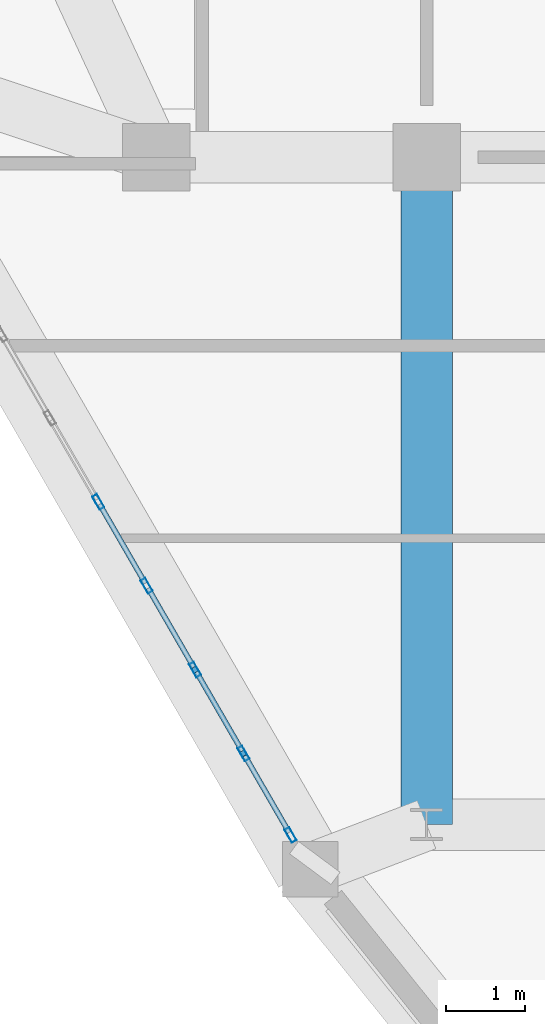
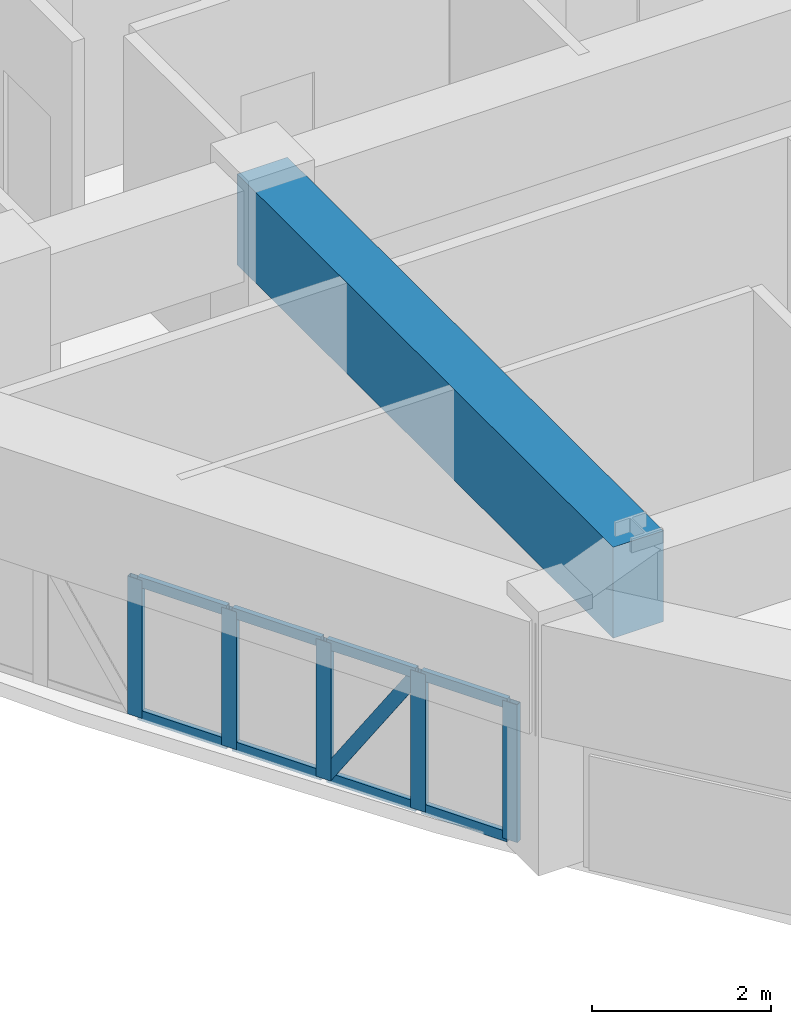
# One storey, part 2 of 16: 14 members, 1 beam, 1 element without a shape of its own.
"""IFC4 building model written with IfcOpenShell, lengths in metres."""

from ifc_helpers import new_model, si_unit, derived_unit, direction, frame, origin, origin_2d, place, context, subcontext, project, spatial, rectangle, hollow_rectangle, extrude, source, transform, mapped, material, layer, layer_set, material_profile, profile_set, type_object, element, aggregate, save


model = new_model("IFC4")

# Units and contexts
model_context = context("Model", 3, precision=1e-05, world=origin(), true_north=direction((0.0, 1.0)))
body_context = subcontext(model_context, "Body", "Model", "MODEL_VIEW")
ifc_project = project(units=[si_unit("LENGTHUNIT", "METRE"), si_unit("AREAUNIT", "SQUARE_METRE"), si_unit("VOLUMEUNIT", "CUBIC_METRE"), si_unit("PLANEANGLEUNIT", "RADIAN"), si_unit("MASSUNIT", "GRAM", prefix="KILO"), derived_unit("THERMALTRANSMITTANCEUNIT", [(si_unit("POWERUNIT", "WATT"), 1), (si_unit("LENGTHUNIT", "METRE"), -2), (si_unit("THERMODYNAMICTEMPERATUREUNIT", "KELVIN"), -1)])], contexts=[model_context])

# Site, building, storey
site_placement = place(None, origin())
site = spatial("IfcSite", under=ifc_project, at=site_placement, CompositionType="ELEMENT")
building_placement = place(site_placement, origin())
building = spatial("IfcBuilding", under=site, at=building_placement, Name="Korsvarv Bourse and Concert Hall", CompositionType="ELEMENT")
storey_placement = place(building_placement, frame((0.0, 0.0, 261.0)))
storey = spatial("IfcBuildingStorey", under=building, at=storey_placement, Name="L68", CompositionType="ELEMENT", Elevation=261.0)

# Beam
ifc_material_1 = material(Name="Concrete C50/60", Category="concrete")
ifc_material_profile_1 = material_profile(ifc_material_1, rectangle(XDim=0.64990234375, YDim=1.239990234375, at=origin_2d()), Name="RC-BM 650x1240")
ifc_profile_set_1 = profile_set([ifc_material_profile_1], Name="Concrete C50/60")
beam_type = type_object("IfcBeamType", Name="BM-TR-SPN", PredefinedType="BEAM", material=ifc_profile_set_1)
shared_shape_1 = source(origin(), body_context, "Body", "SweptSolid", [
    extrude(rectangle(XDim=0.64990234375, YDim=1.239990234375, at=origin_2d()), origin(), (0.0, 0.0, 1.0), 8.39990234375),
])
beam_placement = place(storey_placement, frame((27.60009765625, 24.0, 2.7900390625), z_axis=(0.0, 1.0, 0.0), x_axis=(-1.0, 0.0, 0.0)))
element("IfcBeam", 1, at=beam_placement, inside=storey, type_object=beam_type, Name="L68 beam B-TRS", PredefinedType="BEAM", context=body_context, shape_type="MappedRepresentation", body=[
    mapped(shared_shape_1, transform((0.0, 0.0, 0.0), scale=1.0)),
])

# Curtain wall, members
ifc_material_2 = material(Name="Anodised aluminium and triple low-E glazing", Category="glass")
ifc_layer = layer(ifc_material_2, 0.199951171875)
ifc_layer_set = layer_set([ifc_layer], Name="Anodised aluminium and triple low-E glazing")
curtain_wall_type = type_object("IfcCurtainWallType", Name="CW-SYS-3", PredefinedType="NOTDEFINED", material=ifc_layer_set)
curtain_wall_placement = place(storey_placement, origin())
curtain_wall = element("IfcCurtainWall", 2, at=curtain_wall_placement, inside=storey, type_object=curtain_wall_type, Name="L68 CW3 curtain wall CW-L68-F07", PredefinedType="NOTDEFINED")
ifc_material_3 = material(Name="Extruded aluminium EN AW-6063 T66", Category="aluminium")
ifc_material_profile_2 = material_profile(ifc_material_3, hollow_rectangle(XDim=0.06494140625, YDim=0.139892578125, WallThickness=0.00390625, at=origin_2d()), Name="ALU-T 65x140")
ifc_profile_set_2 = profile_set([ifc_material_profile_2], Name="Extruded aluminium EN AW-6063 T66")
member_type_1 = type_object("IfcMemberType", Name="CWT-140", PredefinedType="USERDEFINED", material=ifc_profile_set_2)
shared_shape_2 = source(origin(), body_context, "Body", "SweptSolid", [
    extrude(hollow_rectangle(XDim=0.06494140625, YDim=0.139892578125, WallThickness=0.00390625, at=origin_2d()), origin(), (0.0, 0.0, 1.0), 1.113525390625),
])
member_1_placement = place(storey_placement, frame((25.313232421875, 24.864501953125, 0.032470703125), z_axis=(0.500076692731, -0.865981120687, 0.0), x_axis=(0.865981120687, 0.500076692731, 0.0)))
member_1 = element("IfcMember", 3, at=member_1_placement, type_object=member_type_1, Name="CW3 transom 9.1", ObjectType="TRANSOM", PredefinedType="USERDEFINED", context=body_context, shape_type="MappedRepresentation", body=[
    mapped(shared_shape_2, transform((0.0, 0.0, 0.0), scale=1.0)),
])
member_2_placement = place(storey_placement, frame((25.313232421875, 24.864501953125, 1.847412109375), z_axis=(0.500076692731, -0.865981120687, 0.0), x_axis=(0.865981120687, 0.500076692731, 0.0)))
member_2 = element("IfcMember", 4, at=member_2_placement, type_object=member_type_1, Name="CW3 transom 9.2", ObjectType="TRANSOM", PredefinedType="USERDEFINED", context=body_context, shape_type="MappedRepresentation", body=[
    mapped(shared_shape_2, transform((0.0, 0.0, 0.0), scale=1.0)),
])
shared_shape_3 = source(origin(), body_context, "Body", "SweptSolid", [
    extrude(hollow_rectangle(XDim=0.06494140625, YDim=0.139892578125, WallThickness=0.00390625, at=origin_2d()), origin(), (0.0, 0.0, 1.0), 1.148681640625),
])
member_3_placement = place(storey_placement, frame((23.4853515625, 28.03076171875, 0.032470703125), z_axis=(0.49988803956, -0.866090034526, 0.0), x_axis=(0.866090034526, 0.49988803956, 0.0)))
member_3 = element("IfcMember", 5, at=member_3_placement, type_object=member_type_1, Name="CW3 transom 6.1", ObjectType="TRANSOM", PredefinedType="USERDEFINED", context=body_context, shape_type="MappedRepresentation", body=[
    mapped(shared_shape_3, transform((0.0, 0.0, 0.0), scale=1.0)),
])
member_4_placement = place(storey_placement, frame((23.4853515625, 28.03076171875, 1.847412109375), z_axis=(0.49988803956, -0.866090034526, 0.0), x_axis=(0.866090034526, 0.49988803956, 0.0)))
member_4 = element("IfcMember", 6, at=member_4_placement, type_object=member_type_1, Name="CW3 transom 6.2", ObjectType="TRANSOM", PredefinedType="USERDEFINED", context=body_context, shape_type="MappedRepresentation", body=[
    mapped(shared_shape_3, transform((0.0, 0.0, 0.0), scale=1.0)),
])
member_5_placement = place(storey_placement, frame((24.0947265625, 26.975341796875, 0.032470703125), z_axis=(0.49988803956, -0.866090034526, 0.0), x_axis=(0.866090034526, 0.49988803956, 0.0)))
member_5 = element("IfcMember", 7, at=member_5_placement, type_object=member_type_1, Name="CW3 transom 7.1", ObjectType="TRANSOM", PredefinedType="USERDEFINED", context=body_context, shape_type="MappedRepresentation", body=[
    mapped(shared_shape_3, transform((0.0, 0.0, 0.0), scale=1.0)),
])
member_6_placement = place(storey_placement, frame((24.0947265625, 26.975341796875, 1.847412109375), z_axis=(0.49988803956, -0.866090034526, 0.0), x_axis=(0.866090034526, 0.49988803956, 0.0)))
member_6 = element("IfcMember", 8, at=member_6_placement, type_object=member_type_1, Name="CW3 transom 7.2", ObjectType="TRANSOM", PredefinedType="USERDEFINED", context=body_context, shape_type="MappedRepresentation", body=[
    mapped(shared_shape_3, transform((0.0, 0.0, 0.0), scale=1.0)),
])
member_7_placement = place(storey_placement, frame((24.703857421875, 25.919921875, 0.032470703125), z_axis=(0.500139482584, -0.865944858499, 0.0), x_axis=(0.865944858499, 0.500139482584, 0.0)))
member_7 = element("IfcMember", 9, at=member_7_placement, type_object=member_type_1, Name="CW3 transom 8.1", ObjectType="TRANSOM", PredefinedType="USERDEFINED", context=body_context, shape_type="MappedRepresentation", body=[
    mapped(shared_shape_3, transform((0.0, 0.0, 0.0), scale=1.0)),
])
member_8_placement = place(storey_placement, frame((24.703857421875, 25.919921875, 1.847412109375), z_axis=(0.500139482584, -0.865944858499, 0.0), x_axis=(0.865944858499, 0.500139482584, 0.0)))
member_8 = element("IfcMember", 10, at=member_8_placement, type_object=member_type_1, Name="CW3 transom 8.2", ObjectType="TRANSOM", PredefinedType="USERDEFINED", context=body_context, shape_type="MappedRepresentation", body=[
    mapped(shared_shape_3, transform((0.0, 0.0, 0.0), scale=1.0)),
])
ifc_material_profile_3 = material_profile(ifc_material_3, hollow_rectangle(XDim=0.070068359375, YDim=0.18994140625, WallThickness=0.0048828125, at=origin_2d()), Name="ALU-M 70x190")
ifc_profile_set_3 = profile_set([ifc_material_profile_3], Name="Extruded aluminium EN AW-6063 T66")
member_type_2 = type_object("IfcMemberType", Name="CWM-190", PredefinedType="MULLION", material=ifc_profile_set_3)
shared_shape_4 = source(origin(), body_context, "Body", "SweptSolid", [
    extrude(hollow_rectangle(XDim=0.070068359375, YDim=0.18994140625, WallThickness=0.0048828125, at=origin_2d()), origin(), (0.0, 0.0, 1.0), 1.8798828125),
])
member_9_placement = place(storey_placement, frame((23.4677734375, 28.06103515625, 0.0), z_axis=(0.0, 0.0, 1.0), x_axis=(0.866023274265, 0.500003688417, 0.0)))
member_9 = element("IfcMember", 11, at=member_9_placement, type_object=member_type_2, Name="CW3 mullion 6", PredefinedType="MULLION", context=body_context, shape_type="MappedRepresentation", body=[
    mapped(shared_shape_4, transform((0.0, 0.0, 0.0), scale=1.0)),
])
member_10_placement = place(storey_placement, frame((24.0771484375, 27.005615234375, 0.0), z_axis=(0.0, 0.0, 1.0), x_axis=(0.866023274265, 0.500003688417, 0.0)))
member_10 = element("IfcMember", 12, at=member_10_placement, type_object=member_type_2, Name="CW3 mullion 7", PredefinedType="MULLION", context=body_context, shape_type="MappedRepresentation", body=[
    mapped(shared_shape_4, transform((0.0, 0.0, 0.0), scale=1.0)),
])
member_11_placement = place(storey_placement, frame((24.6865234375, 25.9501953125, 0.0), z_axis=(0.0, 0.0, 1.0), x_axis=(0.866023274265, 0.500003688417, 0.0)))
member_11 = element("IfcMember", 13, at=member_11_placement, type_object=member_type_2, Name="CW3 mullion 8", PredefinedType="MULLION", context=body_context, shape_type="MappedRepresentation", body=[
    mapped(shared_shape_4, transform((0.0, 0.0, 0.0), scale=1.0)),
])
member_12_placement = place(storey_placement, frame((25.2958984375, 24.894775390625, 0.0), z_axis=(0.0, 0.0, 1.0), x_axis=(0.866023274265, 0.500003688417, 0.0)))
member_12 = element("IfcMember", 14, at=member_12_placement, type_object=member_type_2, Name="CW3 mullion 9", PredefinedType="MULLION", context=body_context, shape_type="MappedRepresentation", body=[
    mapped(shared_shape_4, transform((0.0, 0.0, 0.0), scale=1.0)),
])
member_13_placement = place(storey_placement, frame((25.8876953125, 23.869873046875, 0.0), z_axis=(0.0, 0.0, 1.0), x_axis=(0.866023274265, 0.500003688417, 0.0)))
member_13 = element("IfcMember", 15, at=member_13_placement, type_object=member_type_2, Name="CW3 mullion 10", PredefinedType="MULLION", context=body_context, shape_type="MappedRepresentation", body=[
    mapped(shared_shape_4, transform((0.0, 0.0, 0.0), scale=1.0)),
])
ifc_material_profile_4 = material_profile(ifc_material_3, hollow_rectangle(XDim=0.06494140625, YDim=0.1650390625, WallThickness=0.0048828125, at=origin_2d()), Name="ALU-M 65x165")
ifc_profile_set_4 = profile_set([ifc_material_profile_4], Name="Extruded aluminium EN AW-6063 T66")
member_type_3 = type_object("IfcMemberType", Name="CWM-165", PredefinedType="MULLION", material=ifc_profile_set_4)
shared_shape_5 = source(origin(), body_context, "Body", "SweptSolid", [
    extrude(hollow_rectangle(XDim=0.06494140625, YDim=0.1650390625, WallThickness=0.0048828125, at=origin_2d()), origin(), (0.0, 0.0, 1.0), 2.09326171875),
])
member_14_placement = place(storey_placement, frame((24.703857421875, 25.919921875, 0.06494140625), z_axis=(0.274432781536, -0.475154760722, 0.836011125394), x_axis=(0.865944858499, 0.500139482584, 0.0)))
member_14 = element("IfcMember", 16, at=member_14_placement, type_object=member_type_3, Name="CW3 diagonal mullion 8", PredefinedType="MULLION", context=body_context, shape_type="MappedRepresentation", body=[
    mapped(shared_shape_5, transform((0.0, 0.0, 0.0), scale=1.0)),
])
aggregate(curtain_wall, [member_9, member_10, member_11, member_12, member_13, member_3, member_4, member_5, member_6, member_7, member_8, member_14, member_1, member_2])

save(model, "model.ifc")
